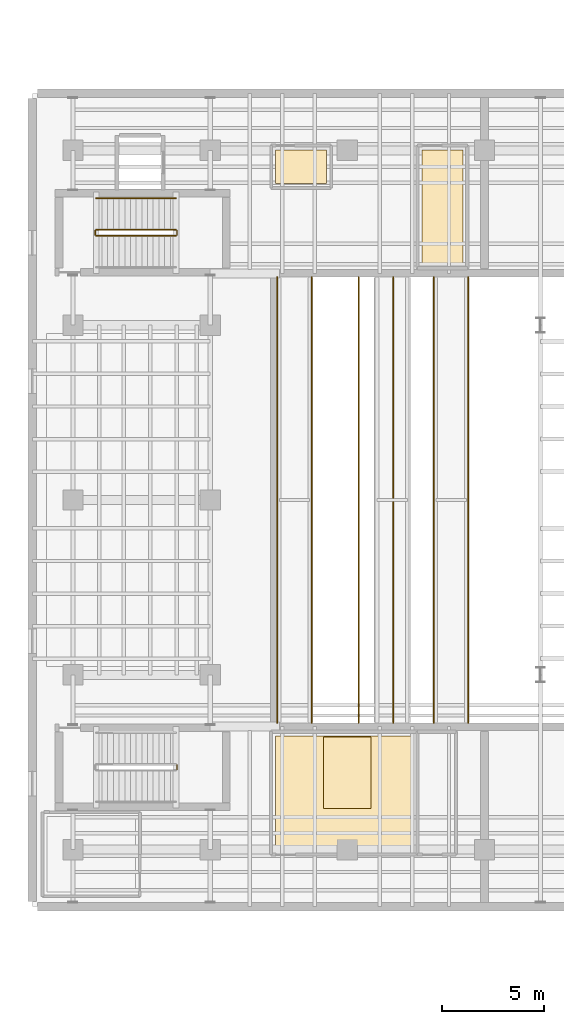
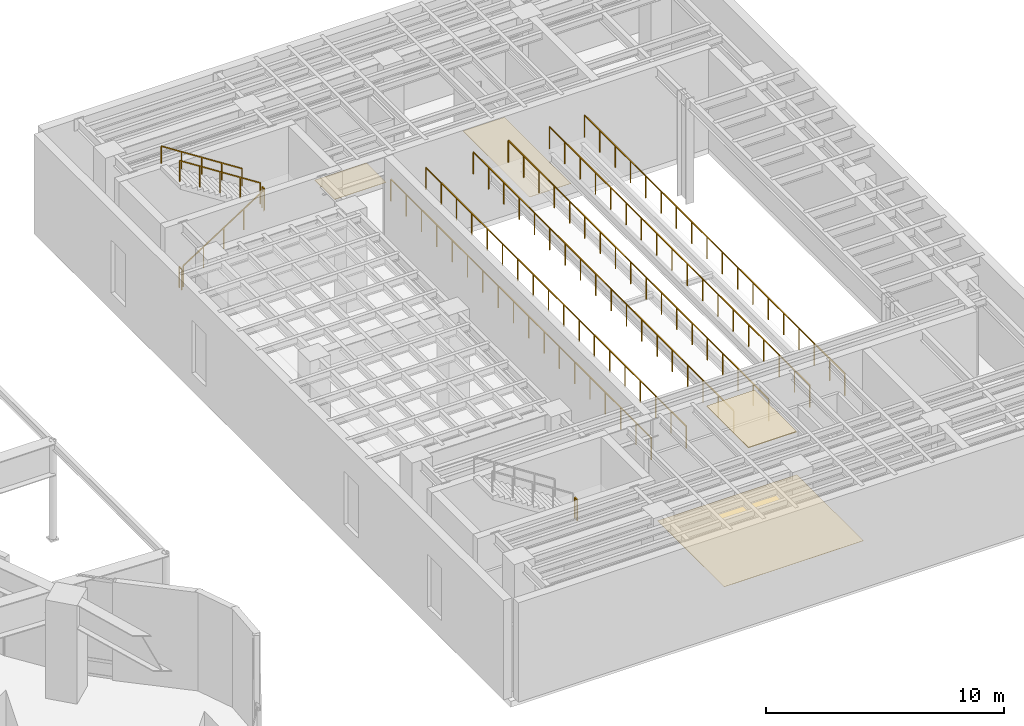
# One storey, part 23 of 23: 12 railings, 4 coverings.
"""IFC4 building model written with IfcOpenShell, lengths in metres."""

from ifc_helpers import new_model, si_unit, direction, frame, origin, origin_2d, place, context, subcontext, project, spatial, polyline, rectangle, outline, extrude, material, layer, layer_set, type_object, element, save


model = new_model("IFC4")

# Units and contexts
model_context = context("Model", 3, precision=1e-05, world=origin(), true_north=direction((0.0, 1.0)))
body_context = subcontext(model_context, "Body", "Model", "MODEL_VIEW")
ifc_project = project(units=[si_unit("LENGTHUNIT", "METRE"), si_unit("AREAUNIT", "SQUARE_METRE"), si_unit("VOLUMEUNIT", "CUBIC_METRE"), si_unit("PLANEANGLEUNIT", "RADIAN"), si_unit("MASSUNIT", "GRAM", prefix="KILO")], contexts=[model_context])

# Site, building, storey
site_placement = place(None, origin())
site = spatial("IfcSite", under=ifc_project, at=site_placement, CompositionType="ELEMENT")
building_placement = place(site_placement, origin())
building = spatial("IfcBuilding", under=site, at=building_placement, Name="Korentha Bioscience Tower", CompositionType="ELEMENT")
storey_placement = place(building_placement, frame((0.0, 0.0, 15.0)))
storey = spatial("IfcBuildingStorey", under=building, at=storey_placement, Name="L03", CompositionType="ELEMENT", Elevation=15.0)

# Covering
ifc_material_1 = material(Name="Vitrified Porcelain Tile", Category="ceramic")
ifc_layer_1 = layer(ifc_material_1, 0.014892578125, Name="Vitrified Porcelain Tile")
ifc_layer_set_1 = layer_set([ifc_layer_1], Name="Vitrified Porcelain Tile (FL-CER)")
covering_type_1 = type_object("IfcCoveringType", Name="Anti-Slip Ceramic Wet-Room Tile Flooring 15", PredefinedType="FLOORING", material=ifc_layer_set_1)
covering_1_placement = place(storey_placement, origin())
element("IfcCovering", 1, at=covering_1_placement, inside=storey, type_object=covering_type_1, Name="L03 L03 Theatre Accessible WC Floor Finish", PredefinedType="FLOORING", context=body_context, shape_type="SweptSolid", body=[
    extrude(outline(polyline([(76.469970703125, 42.570068359375), (76.469970703125, 44.219970703125), (78.97998046875, 44.219970703125), (78.97998046875, 42.570068359375), (76.469970703125, 42.570068359375)])), origin(), (0.0, 0.0, 1.0), 0.014892578125),
])

# Railings
ifc_material_2 = material(Name="Stainless Steel 304", Category="steel")
railing_type_1 = type_object("IfcRailingType", Name="Brushed Stainless Stair Handrail 900", PredefinedType="HANDRAIL", material=ifc_material_2)
railing_1_placement = place(storey_placement, frame((71.570068359375, 41.85009765625, 2.8798828125)))
element("IfcRailing", 2, at=railing_1_placement, inside=storey, type_object=railing_type_1, Name="L03 ST-T2 stair handrail 2", PredefinedType="HANDRAIL", context=body_context, shape_type="SweptSolid", body=[
    extrude(rectangle(XDim=0.048095703125, YDim=0.048095703125, at=origin_2d()), frame((0.0, 0.0, 0.8759765625), z_axis=(-0.841186985886, 0.0, 0.540744352514), x_axis=(0.0, -1.0, 0.0)), (0.0, 0.0, 1.0), 4.660400390625),
    extrude(rectangle(XDim=0.0419921875, YDim=0.0419921875, at=origin_2d()), origin(), (0.0, 0.0, 1.0), 0.851806640625),
    extrude(rectangle(XDim=0.0419921875, YDim=0.0419921875, at=origin_2d()), frame((-0.97998046875, 0.0, 0.6298828125)), (0.0, 0.0, 1.0), 0.851806640625),
    extrude(rectangle(XDim=0.0419921875, YDim=0.0419921875, at=origin_2d()), frame((-1.9599609375, 0.0, 1.260009765625)), (0.0, 0.0, 1.0), 0.851806640625),
    extrude(rectangle(XDim=0.0419921875, YDim=0.0419921875, at=origin_2d()), frame((-2.940185546875, 0.0, 1.89013671875)), (0.0, 0.0, 1.0), 0.851806640625),
    extrude(rectangle(XDim=0.0419921875, YDim=0.0419921875, at=origin_2d()), frame((-3.920166015625, 0.0, 2.52001953125)), (0.0, 0.0, 1.0), 0.851806640625),
])
ifc_material_3 = material(Name="Laminated Tempered Safety Glass", Category="glass")
railing_type_2 = type_object("IfcRailingType", Name="Laminated Glass Balcony Guardrail 1150", PredefinedType="BALUSTRADE", material=ifc_material_3)
railing_2_placement = place(storey_placement, frame((76.550048828125, 16.050048828125, 2.699951171875)))
element("IfcRailing", 3, at=railing_2_placement, inside=storey, type_object=railing_type_2, Name="L03 Auditorium Catwalk 1 Guardrail W", PredefinedType="BALUSTRADE", context=body_context, shape_type="SweptSolid", body=[
    extrude(rectangle(XDim=0.048095703125, YDim=0.048095703125, at=origin_2d()), frame((0.0, 0.0, 1.1259765625), z_axis=(0.0, 1.0, 0.0), x_axis=(-1.0, 0.0, 0.0)), (0.0, 0.0, 1.0), 21.89990234375),
    extrude(rectangle(XDim=0.0419921875, YDim=0.0419921875, at=origin_2d()), origin(), (0.0, 0.0, 1.0), 1.101806640625),
    extrude(rectangle(XDim=0.0419921875, YDim=0.0419921875, at=origin_2d()), frame((0.0, 1.288330078125, 0.0)), (0.0, 0.0, 1.0), 1.101806640625),
    extrude(rectangle(XDim=0.0419921875, YDim=0.0419921875, at=origin_2d()), frame((0.0, 2.576416015625, 0.0)), (0.0, 0.0, 1.0), 1.101806640625),
    extrude(rectangle(XDim=0.0419921875, YDim=0.0419921875, at=origin_2d()), frame((0.0, 3.86474609375, 0.0)), (0.0, 0.0, 1.0), 1.101806640625),
    extrude(rectangle(XDim=0.0419921875, YDim=0.0419921875, at=origin_2d()), frame((0.0, 5.15283203125, 0.0)), (0.0, 0.0, 1.0), 1.101806640625),
    extrude(rectangle(XDim=0.0419921875, YDim=0.0419921875, at=origin_2d()), frame((0.0, 6.441162109375, 0.0)), (0.0, 0.0, 1.0), 1.101806640625),
    extrude(rectangle(XDim=0.0419921875, YDim=0.0419921875, at=origin_2d()), frame((0.0, 7.7294921875, 0.0)), (0.0, 0.0, 1.0), 1.101806640625),
    extrude(rectangle(XDim=0.0419921875, YDim=0.0419921875, at=origin_2d()), frame((0.0, 9.017578125, 0.0)), (0.0, 0.0, 1.0), 1.101806640625),
    extrude(rectangle(XDim=0.0419921875, YDim=0.0419921875, at=origin_2d()), frame((0.0, 10.305908203125, 0.0)), (0.0, 0.0, 1.0), 1.101806640625),
    extrude(rectangle(XDim=0.0419921875, YDim=0.0419921875, at=origin_2d()), frame((0.0, 11.593994140625, 0.0)), (0.0, 0.0, 1.0), 1.101806640625),
    extrude(rectangle(XDim=0.0419921875, YDim=0.0419921875, at=origin_2d()), frame((0.0, 12.88232421875, 0.0)), (0.0, 0.0, 1.0), 1.101806640625),
    extrude(rectangle(XDim=0.0419921875, YDim=0.0419921875, at=origin_2d()), frame((0.0, 14.17041015625, 0.0)), (0.0, 0.0, 1.0), 1.101806640625),
    extrude(rectangle(XDim=0.0419921875, YDim=0.0419921875, at=origin_2d()), frame((0.0, 15.458740234375, 0.0)), (0.0, 0.0, 1.0), 1.101806640625),
    extrude(rectangle(XDim=0.0419921875, YDim=0.0419921875, at=origin_2d()), frame((0.0, 16.7470703125, 0.0)), (0.0, 0.0, 1.0), 1.101806640625),
    extrude(rectangle(XDim=0.0419921875, YDim=0.0419921875, at=origin_2d()), frame((0.0, 18.03515625, 0.0)), (0.0, 0.0, 1.0), 1.101806640625),
    extrude(rectangle(XDim=0.0419921875, YDim=0.0419921875, at=origin_2d()), frame((0.0, 19.323486328125, 0.0)), (0.0, 0.0, 1.0), 1.101806640625),
    extrude(rectangle(XDim=0.0419921875, YDim=0.0419921875, at=origin_2d()), frame((0.0, 20.611572265625, 0.0)), (0.0, 0.0, 1.0), 1.101806640625),
    extrude(rectangle(XDim=0.0419921875, YDim=0.0419921875, at=origin_2d()), frame((0.0, 21.89990234375, 0.0)), (0.0, 0.0, 1.0), 1.101806640625),
])
railing_3_placement = place(storey_placement, frame((78.25, 16.050048828125, 2.699951171875)))
element("IfcRailing", 4, at=railing_3_placement, inside=storey, type_object=railing_type_2, Name="L03 Auditorium Catwalk 1 Guardrail E", PredefinedType="BALUSTRADE", context=body_context, shape_type="SweptSolid", body=[
    extrude(rectangle(XDim=0.048095703125, YDim=0.048095703125, at=origin_2d()), frame((0.0, 0.0, 1.1259765625), z_axis=(0.0, 1.0, 0.0), x_axis=(-1.0, 0.0, 0.0)), (0.0, 0.0, 1.0), 21.89990234375),
    extrude(rectangle(XDim=0.0419921875, YDim=0.0419921875, at=origin_2d()), origin(), (0.0, 0.0, 1.0), 1.101806640625),
    extrude(rectangle(XDim=0.0419921875, YDim=0.0419921875, at=origin_2d()), frame((0.0, 1.288330078125, 0.0)), (0.0, 0.0, 1.0), 1.101806640625),
    extrude(rectangle(XDim=0.0419921875, YDim=0.0419921875, at=origin_2d()), frame((0.0, 2.576416015625, 0.0)), (0.0, 0.0, 1.0), 1.101806640625),
    extrude(rectangle(XDim=0.0419921875, YDim=0.0419921875, at=origin_2d()), frame((0.0, 3.86474609375, 0.0)), (0.0, 0.0, 1.0), 1.101806640625),
    extrude(rectangle(XDim=0.0419921875, YDim=0.0419921875, at=origin_2d()), frame((0.0, 5.15283203125, 0.0)), (0.0, 0.0, 1.0), 1.101806640625),
    extrude(rectangle(XDim=0.0419921875, YDim=0.0419921875, at=origin_2d()), frame((0.0, 6.441162109375, 0.0)), (0.0, 0.0, 1.0), 1.101806640625),
    extrude(rectangle(XDim=0.0419921875, YDim=0.0419921875, at=origin_2d()), frame((0.0, 7.7294921875, 0.0)), (0.0, 0.0, 1.0), 1.101806640625),
    extrude(rectangle(XDim=0.0419921875, YDim=0.0419921875, at=origin_2d()), frame((0.0, 9.017578125, 0.0)), (0.0, 0.0, 1.0), 1.101806640625),
    extrude(rectangle(XDim=0.0419921875, YDim=0.0419921875, at=origin_2d()), frame((0.0, 10.305908203125, 0.0)), (0.0, 0.0, 1.0), 1.101806640625),
    extrude(rectangle(XDim=0.0419921875, YDim=0.0419921875, at=origin_2d()), frame((0.0, 11.593994140625, 0.0)), (0.0, 0.0, 1.0), 1.101806640625),
    extrude(rectangle(XDim=0.0419921875, YDim=0.0419921875, at=origin_2d()), frame((0.0, 12.88232421875, 0.0)), (0.0, 0.0, 1.0), 1.101806640625),
    extrude(rectangle(XDim=0.0419921875, YDim=0.0419921875, at=origin_2d()), frame((0.0, 14.17041015625, 0.0)), (0.0, 0.0, 1.0), 1.101806640625),
    extrude(rectangle(XDim=0.0419921875, YDim=0.0419921875, at=origin_2d()), frame((0.0, 15.458740234375, 0.0)), (0.0, 0.0, 1.0), 1.101806640625),
    extrude(rectangle(XDim=0.0419921875, YDim=0.0419921875, at=origin_2d()), frame((0.0, 16.7470703125, 0.0)), (0.0, 0.0, 1.0), 1.101806640625),
    extrude(rectangle(XDim=0.0419921875, YDim=0.0419921875, at=origin_2d()), frame((0.0, 18.03515625, 0.0)), (0.0, 0.0, 1.0), 1.101806640625),
    extrude(rectangle(XDim=0.0419921875, YDim=0.0419921875, at=origin_2d()), frame((0.0, 19.323486328125, 0.0)), (0.0, 0.0, 1.0), 1.101806640625),
    extrude(rectangle(XDim=0.0419921875, YDim=0.0419921875, at=origin_2d()), frame((0.0, 20.611572265625, 0.0)), (0.0, 0.0, 1.0), 1.101806640625),
    extrude(rectangle(XDim=0.0419921875, YDim=0.0419921875, at=origin_2d()), frame((0.0, 21.89990234375, 0.0)), (0.0, 0.0, 1.0), 1.101806640625),
])
railing_4_placement = place(storey_placement, frame((80.550048828125, 16.050048828125, 2.699951171875)))
element("IfcRailing", 5, at=railing_4_placement, inside=storey, type_object=railing_type_2, Name="L03 Auditorium Catwalk 2 Guardrail W", PredefinedType="BALUSTRADE", context=body_context, shape_type="SweptSolid", body=[
    extrude(rectangle(XDim=0.048095703125, YDim=0.048095703125, at=origin_2d()), frame((0.0, 0.0, 1.1259765625), z_axis=(0.0, 1.0, 0.0), x_axis=(-1.0, 0.0, 0.0)), (0.0, 0.0, 1.0), 21.89990234375),
    extrude(rectangle(XDim=0.0419921875, YDim=0.0419921875, at=origin_2d()), origin(), (0.0, 0.0, 1.0), 1.101806640625),
    extrude(rectangle(XDim=0.0419921875, YDim=0.0419921875, at=origin_2d()), frame((0.0, 1.288330078125, 0.0)), (0.0, 0.0, 1.0), 1.101806640625),
    extrude(rectangle(XDim=0.0419921875, YDim=0.0419921875, at=origin_2d()), frame((0.0, 2.576416015625, 0.0)), (0.0, 0.0, 1.0), 1.101806640625),
    extrude(rectangle(XDim=0.0419921875, YDim=0.0419921875, at=origin_2d()), frame((0.0, 3.86474609375, 0.0)), (0.0, 0.0, 1.0), 1.101806640625),
    extrude(rectangle(XDim=0.0419921875, YDim=0.0419921875, at=origin_2d()), frame((0.0, 5.15283203125, 0.0)), (0.0, 0.0, 1.0), 1.101806640625),
    extrude(rectangle(XDim=0.0419921875, YDim=0.0419921875, at=origin_2d()), frame((0.0, 6.441162109375, 0.0)), (0.0, 0.0, 1.0), 1.101806640625),
    extrude(rectangle(XDim=0.0419921875, YDim=0.0419921875, at=origin_2d()), frame((0.0, 7.7294921875, 0.0)), (0.0, 0.0, 1.0), 1.101806640625),
    extrude(rectangle(XDim=0.0419921875, YDim=0.0419921875, at=origin_2d()), frame((0.0, 9.017578125, 0.0)), (0.0, 0.0, 1.0), 1.101806640625),
    extrude(rectangle(XDim=0.0419921875, YDim=0.0419921875, at=origin_2d()), frame((0.0, 10.305908203125, 0.0)), (0.0, 0.0, 1.0), 1.101806640625),
    extrude(rectangle(XDim=0.0419921875, YDim=0.0419921875, at=origin_2d()), frame((0.0, 11.593994140625, 0.0)), (0.0, 0.0, 1.0), 1.101806640625),
    extrude(rectangle(XDim=0.0419921875, YDim=0.0419921875, at=origin_2d()), frame((0.0, 12.88232421875, 0.0)), (0.0, 0.0, 1.0), 1.101806640625),
    extrude(rectangle(XDim=0.0419921875, YDim=0.0419921875, at=origin_2d()), frame((0.0, 14.17041015625, 0.0)), (0.0, 0.0, 1.0), 1.101806640625),
    extrude(rectangle(XDim=0.0419921875, YDim=0.0419921875, at=origin_2d()), frame((0.0, 15.458740234375, 0.0)), (0.0, 0.0, 1.0), 1.101806640625),
    extrude(rectangle(XDim=0.0419921875, YDim=0.0419921875, at=origin_2d()), frame((0.0, 16.7470703125, 0.0)), (0.0, 0.0, 1.0), 1.101806640625),
    extrude(rectangle(XDim=0.0419921875, YDim=0.0419921875, at=origin_2d()), frame((0.0, 18.03515625, 0.0)), (0.0, 0.0, 1.0), 1.101806640625),
    extrude(rectangle(XDim=0.0419921875, YDim=0.0419921875, at=origin_2d()), frame((0.0, 19.323486328125, 0.0)), (0.0, 0.0, 1.0), 1.101806640625),
    extrude(rectangle(XDim=0.0419921875, YDim=0.0419921875, at=origin_2d()), frame((0.0, 20.611572265625, 0.0)), (0.0, 0.0, 1.0), 1.101806640625),
    extrude(rectangle(XDim=0.0419921875, YDim=0.0419921875, at=origin_2d()), frame((0.0, 21.89990234375, 0.0)), (0.0, 0.0, 1.0), 1.101806640625),
])
railing_5_placement = place(storey_placement, frame((82.25, 16.050048828125, 2.699951171875)))
element("IfcRailing", 6, at=railing_5_placement, inside=storey, type_object=railing_type_2, Name="L03 Auditorium Catwalk 2 Guardrail E", PredefinedType="BALUSTRADE", context=body_context, shape_type="SweptSolid", body=[
    extrude(rectangle(XDim=0.048095703125, YDim=0.048095703125, at=origin_2d()), frame((0.0, 0.0, 1.1259765625), z_axis=(0.0, 1.0, 0.0), x_axis=(-1.0, 0.0, 0.0)), (0.0, 0.0, 1.0), 21.89990234375),
    extrude(rectangle(XDim=0.0419921875, YDim=0.0419921875, at=origin_2d()), origin(), (0.0, 0.0, 1.0), 1.101806640625),
    extrude(rectangle(XDim=0.0419921875, YDim=0.0419921875, at=origin_2d()), frame((0.0, 1.288330078125, 0.0)), (0.0, 0.0, 1.0), 1.101806640625),
    extrude(rectangle(XDim=0.0419921875, YDim=0.0419921875, at=origin_2d()), frame((0.0, 2.576416015625, 0.0)), (0.0, 0.0, 1.0), 1.101806640625),
    extrude(rectangle(XDim=0.0419921875, YDim=0.0419921875, at=origin_2d()), frame((0.0, 3.86474609375, 0.0)), (0.0, 0.0, 1.0), 1.101806640625),
    extrude(rectangle(XDim=0.0419921875, YDim=0.0419921875, at=origin_2d()), frame((0.0, 5.15283203125, 0.0)), (0.0, 0.0, 1.0), 1.101806640625),
    extrude(rectangle(XDim=0.0419921875, YDim=0.0419921875, at=origin_2d()), frame((0.0, 6.441162109375, 0.0)), (0.0, 0.0, 1.0), 1.101806640625),
    extrude(rectangle(XDim=0.0419921875, YDim=0.0419921875, at=origin_2d()), frame((0.0, 7.7294921875, 0.0)), (0.0, 0.0, 1.0), 1.101806640625),
    extrude(rectangle(XDim=0.0419921875, YDim=0.0419921875, at=origin_2d()), frame((0.0, 9.017578125, 0.0)), (0.0, 0.0, 1.0), 1.101806640625),
    extrude(rectangle(XDim=0.0419921875, YDim=0.0419921875, at=origin_2d()), frame((0.0, 10.305908203125, 0.0)), (0.0, 0.0, 1.0), 1.101806640625),
    extrude(rectangle(XDim=0.0419921875, YDim=0.0419921875, at=origin_2d()), frame((0.0, 11.593994140625, 0.0)), (0.0, 0.0, 1.0), 1.101806640625),
    extrude(rectangle(XDim=0.0419921875, YDim=0.0419921875, at=origin_2d()), frame((0.0, 12.88232421875, 0.0)), (0.0, 0.0, 1.0), 1.101806640625),
    extrude(rectangle(XDim=0.0419921875, YDim=0.0419921875, at=origin_2d()), frame((0.0, 14.17041015625, 0.0)), (0.0, 0.0, 1.0), 1.101806640625),
    extrude(rectangle(XDim=0.0419921875, YDim=0.0419921875, at=origin_2d()), frame((0.0, 15.458740234375, 0.0)), (0.0, 0.0, 1.0), 1.101806640625),
    extrude(rectangle(XDim=0.0419921875, YDim=0.0419921875, at=origin_2d()), frame((0.0, 16.7470703125, 0.0)), (0.0, 0.0, 1.0), 1.101806640625),
    extrude(rectangle(XDim=0.0419921875, YDim=0.0419921875, at=origin_2d()), frame((0.0, 18.03515625, 0.0)), (0.0, 0.0, 1.0), 1.101806640625),
    extrude(rectangle(XDim=0.0419921875, YDim=0.0419921875, at=origin_2d()), frame((0.0, 19.323486328125, 0.0)), (0.0, 0.0, 1.0), 1.101806640625),
    extrude(rectangle(XDim=0.0419921875, YDim=0.0419921875, at=origin_2d()), frame((0.0, 20.611572265625, 0.0)), (0.0, 0.0, 1.0), 1.101806640625),
    extrude(rectangle(XDim=0.0419921875, YDim=0.0419921875, at=origin_2d()), frame((0.0, 21.89990234375, 0.0)), (0.0, 0.0, 1.0), 1.101806640625),
])
railing_6_placement = place(storey_placement, frame((84.25, 16.050048828125, 2.699951171875)))
element("IfcRailing", 7, at=railing_6_placement, inside=storey, type_object=railing_type_2, Name="L03 Auditorium Catwalk 3 Guardrail W", PredefinedType="BALUSTRADE", context=body_context, shape_type="SweptSolid", body=[
    extrude(rectangle(XDim=0.048095703125, YDim=0.048095703125, at=origin_2d()), frame((0.0, 0.0, 1.1259765625), z_axis=(0.0, 1.0, 0.0), x_axis=(-1.0, 0.0, 0.0)), (0.0, 0.0, 1.0), 21.89990234375),
    extrude(rectangle(XDim=0.0419921875, YDim=0.0419921875, at=origin_2d()), origin(), (0.0, 0.0, 1.0), 1.101806640625),
    extrude(rectangle(XDim=0.0419921875, YDim=0.0419921875, at=origin_2d()), frame((0.0, 1.288330078125, 0.0)), (0.0, 0.0, 1.0), 1.101806640625),
    extrude(rectangle(XDim=0.0419921875, YDim=0.0419921875, at=origin_2d()), frame((0.0, 2.576416015625, 0.0)), (0.0, 0.0, 1.0), 1.101806640625),
    extrude(rectangle(XDim=0.0419921875, YDim=0.0419921875, at=origin_2d()), frame((0.0, 3.86474609375, 0.0)), (0.0, 0.0, 1.0), 1.101806640625),
    extrude(rectangle(XDim=0.0419921875, YDim=0.0419921875, at=origin_2d()), frame((0.0, 5.15283203125, 0.0)), (0.0, 0.0, 1.0), 1.101806640625),
    extrude(rectangle(XDim=0.0419921875, YDim=0.0419921875, at=origin_2d()), frame((0.0, 6.441162109375, 0.0)), (0.0, 0.0, 1.0), 1.101806640625),
    extrude(rectangle(XDim=0.0419921875, YDim=0.0419921875, at=origin_2d()), frame((0.0, 7.7294921875, 0.0)), (0.0, 0.0, 1.0), 1.101806640625),
    extrude(rectangle(XDim=0.0419921875, YDim=0.0419921875, at=origin_2d()), frame((0.0, 9.017578125, 0.0)), (0.0, 0.0, 1.0), 1.101806640625),
    extrude(rectangle(XDim=0.0419921875, YDim=0.0419921875, at=origin_2d()), frame((0.0, 10.305908203125, 0.0)), (0.0, 0.0, 1.0), 1.101806640625),
    extrude(rectangle(XDim=0.0419921875, YDim=0.0419921875, at=origin_2d()), frame((0.0, 11.593994140625, 0.0)), (0.0, 0.0, 1.0), 1.101806640625),
    extrude(rectangle(XDim=0.0419921875, YDim=0.0419921875, at=origin_2d()), frame((0.0, 12.88232421875, 0.0)), (0.0, 0.0, 1.0), 1.101806640625),
    extrude(rectangle(XDim=0.0419921875, YDim=0.0419921875, at=origin_2d()), frame((0.0, 14.17041015625, 0.0)), (0.0, 0.0, 1.0), 1.101806640625),
    extrude(rectangle(XDim=0.0419921875, YDim=0.0419921875, at=origin_2d()), frame((0.0, 15.458740234375, 0.0)), (0.0, 0.0, 1.0), 1.101806640625),
    extrude(rectangle(XDim=0.0419921875, YDim=0.0419921875, at=origin_2d()), frame((0.0, 16.7470703125, 0.0)), (0.0, 0.0, 1.0), 1.101806640625),
    extrude(rectangle(XDim=0.0419921875, YDim=0.0419921875, at=origin_2d()), frame((0.0, 18.03515625, 0.0)), (0.0, 0.0, 1.0), 1.101806640625),
    extrude(rectangle(XDim=0.0419921875, YDim=0.0419921875, at=origin_2d()), frame((0.0, 19.323486328125, 0.0)), (0.0, 0.0, 1.0), 1.101806640625),
    extrude(rectangle(XDim=0.0419921875, YDim=0.0419921875, at=origin_2d()), frame((0.0, 20.611572265625, 0.0)), (0.0, 0.0, 1.0), 1.101806640625),
    extrude(rectangle(XDim=0.0419921875, YDim=0.0419921875, at=origin_2d()), frame((0.0, 21.89990234375, 0.0)), (0.0, 0.0, 1.0), 1.101806640625),
])
railing_7_placement = place(storey_placement, frame((85.949951171875, 16.050048828125, 2.699951171875)))
element("IfcRailing", 8, at=railing_7_placement, inside=storey, type_object=railing_type_2, Name="L03 Auditorium Catwalk 3 Guardrail E", PredefinedType="BALUSTRADE", context=body_context, shape_type="SweptSolid", body=[
    extrude(rectangle(XDim=0.048095703125, YDim=0.048095703125, at=origin_2d()), frame((0.0, 0.0, 1.1259765625), z_axis=(0.0, 1.0, 0.0), x_axis=(-1.0, 0.0, 0.0)), (0.0, 0.0, 1.0), 21.89990234375),
    extrude(rectangle(XDim=0.0419921875, YDim=0.0419921875, at=origin_2d()), origin(), (0.0, 0.0, 1.0), 1.101806640625),
    extrude(rectangle(XDim=0.0419921875, YDim=0.0419921875, at=origin_2d()), frame((0.0, 1.288330078125, 0.0)), (0.0, 0.0, 1.0), 1.101806640625),
    extrude(rectangle(XDim=0.0419921875, YDim=0.0419921875, at=origin_2d()), frame((0.0, 2.576416015625, 0.0)), (0.0, 0.0, 1.0), 1.101806640625),
    extrude(rectangle(XDim=0.0419921875, YDim=0.0419921875, at=origin_2d()), frame((0.0, 3.86474609375, 0.0)), (0.0, 0.0, 1.0), 1.101806640625),
    extrude(rectangle(XDim=0.0419921875, YDim=0.0419921875, at=origin_2d()), frame((0.0, 5.15283203125, 0.0)), (0.0, 0.0, 1.0), 1.101806640625),
    extrude(rectangle(XDim=0.0419921875, YDim=0.0419921875, at=origin_2d()), frame((0.0, 6.441162109375, 0.0)), (0.0, 0.0, 1.0), 1.101806640625),
    extrude(rectangle(XDim=0.0419921875, YDim=0.0419921875, at=origin_2d()), frame((0.0, 7.7294921875, 0.0)), (0.0, 0.0, 1.0), 1.101806640625),
    extrude(rectangle(XDim=0.0419921875, YDim=0.0419921875, at=origin_2d()), frame((0.0, 9.017578125, 0.0)), (0.0, 0.0, 1.0), 1.101806640625),
    extrude(rectangle(XDim=0.0419921875, YDim=0.0419921875, at=origin_2d()), frame((0.0, 10.305908203125, 0.0)), (0.0, 0.0, 1.0), 1.101806640625),
    extrude(rectangle(XDim=0.0419921875, YDim=0.0419921875, at=origin_2d()), frame((0.0, 11.593994140625, 0.0)), (0.0, 0.0, 1.0), 1.101806640625),
    extrude(rectangle(XDim=0.0419921875, YDim=0.0419921875, at=origin_2d()), frame((0.0, 12.88232421875, 0.0)), (0.0, 0.0, 1.0), 1.101806640625),
    extrude(rectangle(XDim=0.0419921875, YDim=0.0419921875, at=origin_2d()), frame((0.0, 14.17041015625, 0.0)), (0.0, 0.0, 1.0), 1.101806640625),
    extrude(rectangle(XDim=0.0419921875, YDim=0.0419921875, at=origin_2d()), frame((0.0, 15.458740234375, 0.0)), (0.0, 0.0, 1.0), 1.101806640625),
    extrude(rectangle(XDim=0.0419921875, YDim=0.0419921875, at=origin_2d()), frame((0.0, 16.7470703125, 0.0)), (0.0, 0.0, 1.0), 1.101806640625),
    extrude(rectangle(XDim=0.0419921875, YDim=0.0419921875, at=origin_2d()), frame((0.0, 18.03515625, 0.0)), (0.0, 0.0, 1.0), 1.101806640625),
    extrude(rectangle(XDim=0.0419921875, YDim=0.0419921875, at=origin_2d()), frame((0.0, 19.323486328125, 0.0)), (0.0, 0.0, 1.0), 1.101806640625),
    extrude(rectangle(XDim=0.0419921875, YDim=0.0419921875, at=origin_2d()), frame((0.0, 20.611572265625, 0.0)), (0.0, 0.0, 1.0), 1.101806640625),
    extrude(rectangle(XDim=0.0419921875, YDim=0.0419921875, at=origin_2d()), frame((0.0, 21.89990234375, 0.0)), (0.0, 0.0, 1.0), 1.101806640625),
])

# Covering
ifc_material_4 = material(Name="Antimicrobial Mineral Fibre Board", Category="gypsum")
ifc_layer_2 = layer(ifc_material_4, 0.034912109375, Name="Antimicrobial Mineral Fibre Board")
ifc_layer_set_2 = layer_set([ifc_layer_2], Name="Antimicrobial Mineral Fibre Board (CL-MF35)")
covering_type_2 = type_object("IfcCoveringType", Name="Mineral-Fibre Cleanroom Suspended Ceiling 35", PredefinedType="CEILING", material=ifc_layer_set_2)
covering_2_placement = place(storey_placement, frame((0.0, 0.0, 5.06494140625)))
element("IfcCovering", 9, at=covering_2_placement, inside=storey, type_object=covering_type_2, Name="L03 L03 Soloists' Dressing Suite Acoustic Ceiling", PredefinedType="CEILING", context=body_context, shape_type="SweptSolid", body=[
    extrude(outline(polyline([(81.16943359375, 11.83056640625), (78.83056640625, 11.83056640625), (78.83056640625, 15.35009765625), (81.16943359375, 15.35009765625), (81.16943359375, 11.83056640625)])), origin(), (0.0, 0.0, 1.0), 0.03515625),
])

# Railings
ifc_material_5 = material(Name="Painted Steel S275", Category="steel")
railing_type_3 = type_object("IfcRailingType", Name="Painted Steel Stair Well Guardrail 1100", PredefinedType="GUARDRAIL", material=ifc_material_5)
railing_8_placement = place(storey_placement, frame((71.6201171875, 13.75, 2.699951171875)))
element("IfcRailing", 10, at=railing_8_placement, inside=storey, type_object=railing_type_3, Name="L03 ST-T1 stair guard 2", PredefinedType="GUARDRAIL", context=body_context, shape_type="SweptSolid", body=[
    extrude(rectangle(XDim=0.048095703125, YDim=0.048095703125, at=origin_2d()), frame((0.0, 0.0, 1.076171875), z_axis=(0.0, 1.0, 0.0), x_axis=(-1.0, 0.0, 0.0)), (0.0, 0.0, 1.0), 0.199951171875),
    extrude(rectangle(XDim=0.0419921875, YDim=0.0419921875, at=origin_2d()), origin(), (0.0, 0.0, 1.0), 1.052001953125),
    extrude(rectangle(XDim=0.0419921875, YDim=0.0419921875, at=origin_2d()), frame((0.0, 0.199951171875, 0.0)), (0.0, 0.0, 1.0), 1.052001953125),
])
railing_9_placement = place(storey_placement, frame((67.64990234375, 40.0, 0.179931640625)))
element("IfcRailing", 11, at=railing_9_placement, inside=storey, type_object=railing_type_3, Name="L03 ST-T2 stair guard 1", PredefinedType="GUARDRAIL", context=body_context, shape_type="SweptSolid", body=[
    extrude(rectangle(XDim=0.048095703125, YDim=0.048095703125, at=origin_2d()), frame((0.0, 0.0, 1.076171875), z_axis=(0.841186985886, 0.0, 0.540744352514), x_axis=(0.0, 1.0, 0.0)), (0.0, 0.0, 1.0), 4.660400390625),
    extrude(rectangle(XDim=0.0419921875, YDim=0.0419921875, at=origin_2d()), origin(), (0.0, 0.0, 1.0), 1.052001953125),
    extrude(rectangle(XDim=0.0419921875, YDim=0.0419921875, at=origin_2d()), frame((0.97998046875, 0.0, 0.6298828125)), (0.0, 0.0, 1.0), 1.052001953125),
    extrude(rectangle(XDim=0.0419921875, YDim=0.0419921875, at=origin_2d()), frame((1.9599609375, 0.0, 1.260009765625)), (0.0, 0.0, 1.0), 1.052001953125),
    extrude(rectangle(XDim=0.0419921875, YDim=0.0419921875, at=origin_2d()), frame((2.940185546875, 0.0, 1.89013671875)), (0.0, 0.0, 1.0), 1.052001953125),
    extrude(rectangle(XDim=0.0419921875, YDim=0.0419921875, at=origin_2d()), frame((3.920166015625, 0.0, 2.52001953125)), (0.0, 0.0, 1.0), 1.052001953125),
])
railing_10_placement = place(storey_placement, frame((71.6201171875, 40.050048828125, 2.699951171875)))
element("IfcRailing", 12, at=railing_10_placement, inside=storey, type_object=railing_type_3, Name="L03 ST-T2 stair guard 2", PredefinedType="GUARDRAIL", context=body_context, shape_type="SweptSolid", body=[
    extrude(rectangle(XDim=0.048095703125, YDim=0.048095703125, at=origin_2d()), frame((0.0, 0.0, 1.076171875), z_axis=(0.0, 1.0, 0.0), x_axis=(-1.0, 0.0, 0.0)), (0.0, 0.0, 1.0), 0.199951171875),
    extrude(rectangle(XDim=0.0419921875, YDim=0.0419921875, at=origin_2d()), origin(), (0.0, 0.0, 1.0), 1.052001953125),
    extrude(rectangle(XDim=0.0419921875, YDim=0.0419921875, at=origin_2d()), frame((0.0, 0.199951171875, 0.0)), (0.0, 0.0, 1.0), 1.052001953125),
])
railing_11_placement = place(storey_placement, frame((71.570068359375, 40.300048828125, 2.8798828125)))
element("IfcRailing", 13, at=railing_11_placement, inside=storey, type_object=railing_type_3, Name="L03 ST-T2 stair guard 3", PredefinedType="GUARDRAIL", context=body_context, shape_type="SweptSolid", body=[
    extrude(rectangle(XDim=0.048095703125, YDim=0.048095703125, at=origin_2d()), frame((0.0, 0.0, 1.076171875), z_axis=(-0.841186985886, 0.0, 0.540744352514), x_axis=(0.0, -1.0, 0.0)), (0.0, 0.0, 1.0), 4.660400390625),
    extrude(rectangle(XDim=0.0419921875, YDim=0.0419921875, at=origin_2d()), origin(), (0.0, 0.0, 1.0), 1.052001953125),
    extrude(rectangle(XDim=0.0419921875, YDim=0.0419921875, at=origin_2d()), frame((-0.97998046875, 0.0, 0.6298828125)), (0.0, 0.0, 1.0), 1.052001953125),
    extrude(rectangle(XDim=0.0419921875, YDim=0.0419921875, at=origin_2d()), frame((-1.9599609375, 0.0, 1.260009765625)), (0.0, 0.0, 1.0), 1.052001953125),
    extrude(rectangle(XDim=0.0419921875, YDim=0.0419921875, at=origin_2d()), frame((-2.940185546875, 0.0, 1.89013671875)), (0.0, 0.0, 1.0), 1.052001953125),
    extrude(rectangle(XDim=0.0419921875, YDim=0.0419921875, at=origin_2d()), frame((-3.920166015625, 0.0, 2.52001953125)), (0.0, 0.0, 1.0), 1.052001953125),
])
railing_12_placement = place(storey_placement, frame((67.60009765625, 40.050048828125, 0.0)))
element("IfcRailing", 14, at=railing_12_placement, inside=storey, type_object=railing_type_3, Name="L03 ST-T2 stair guard 4", PredefinedType="GUARDRAIL", context=body_context, shape_type="SweptSolid", body=[
    extrude(rectangle(XDim=0.048095703125, YDim=0.048095703125, at=origin_2d()), frame((0.0, 0.0, 1.076171875), z_axis=(0.0, 1.0, 0.0), x_axis=(-1.0, 0.0, 0.0)), (0.0, 0.0, 1.0), 0.199951171875),
    extrude(rectangle(XDim=0.0419921875, YDim=0.0419921875, at=origin_2d()), origin(), (0.0, 0.0, 1.0), 1.052001953125),
    extrude(rectangle(XDim=0.0419921875, YDim=0.0419921875, at=origin_2d()), frame((0.0, 0.199951171875, 0.0)), (0.0, 0.0, 1.0), 1.052001953125),
])

# Coverings
ifc_material_6 = material(Name="Chemical-Resistant Epoxy Resin", Category="polymer")
ifc_layer_3 = layer(ifc_material_6, 0.011962890625, Name="Chemical-Resistant Epoxy Resin")
ifc_layer_set_3 = layer_set([ifc_layer_3], Name="Chemical-Resistant Epoxy Resin (FL-EPX)")
covering_type_3 = type_object("IfcCoveringType", Name="Seamless Epoxy Laboratory Flooring 12", PredefinedType="FLOORING", material=ifc_layer_set_3)
covering_3_placement = place(storey_placement, origin())
element("IfcCovering", 15, at=covering_3_placement, inside=storey, type_object=covering_type_3, Name="L03 L03 Soloists' Dressing Suite Floor Finish", PredefinedType="FLOORING", context=body_context, shape_type="SweptSolid", body=[
    extrude(outline(polyline([(83.22998046875, 9.780029296875), (76.469970703125, 9.780029296875), (76.469970703125, 15.3798828125), (83.22998046875, 15.3798828125), (83.22998046875, 9.780029296875)])), origin(), (0.0, 0.0, 1.0), 0.011962890625),
])
covering_4_placement = place(storey_placement, origin())
element("IfcCovering", 16, at=covering_4_placement, inside=storey, type_object=covering_type_3, Name="L03 L03 Stage Lighting Dimmer Store Floor Finish", PredefinedType="FLOORING", context=body_context, shape_type="SweptSolid", body=[
    extrude(outline(polyline([(83.669921875, 38.6201171875), (83.669921875, 44.219970703125), (85.679931640625, 44.219970703125), (85.679931640625, 38.6201171875), (83.669921875, 38.6201171875)])), origin(), (0.0, 0.0, 1.0), 0.011962890625),
])

save(model, "model.ifc")
